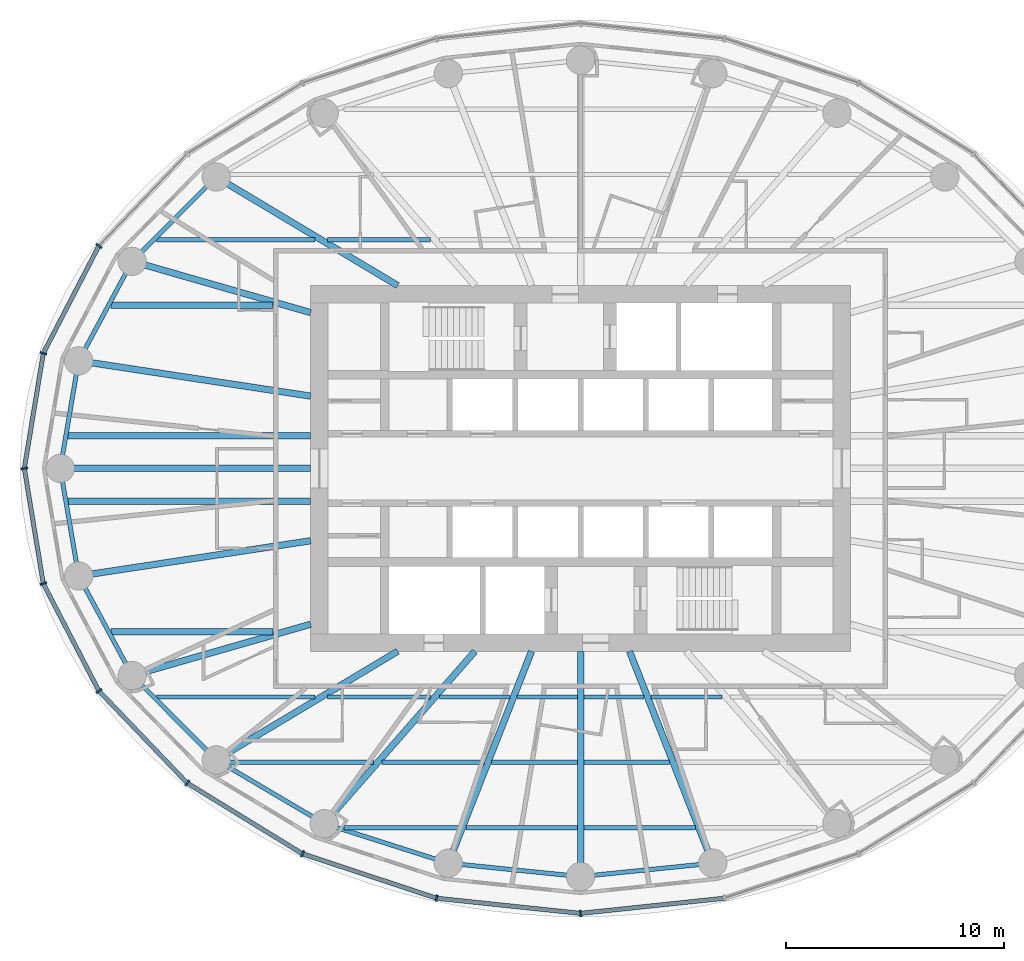
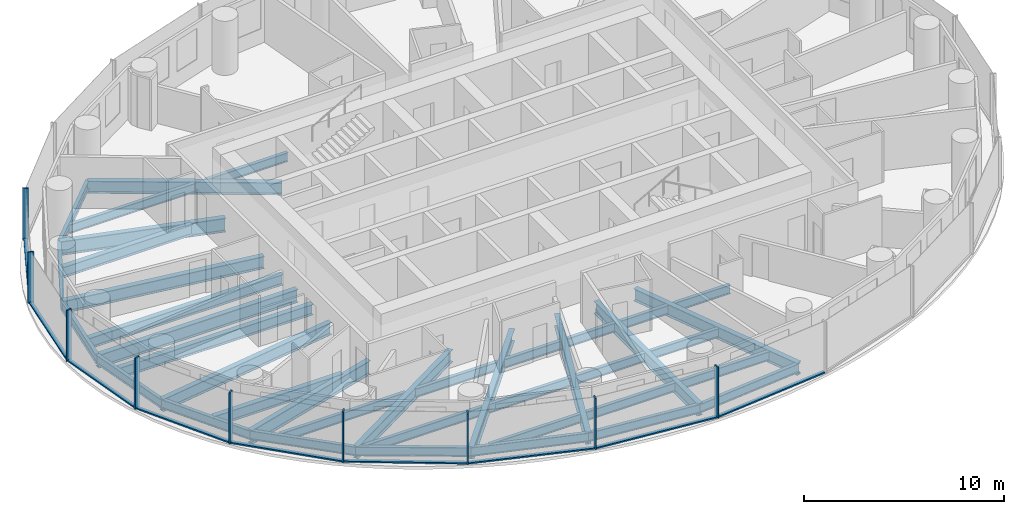
# One storey, part 2 of 13: 40 beams, 18 members, 3 elements without a shape of their own.
"""IFC4 building model written with IfcOpenShell, lengths in metres."""

import ifcopenshell
import ifcopenshell.guid

model = None  # the IFC model being written
_history = None  # IfcOwnerHistory: only IFC2X3 demands one
_inside = {}  # id of a spatial element -> (the spatial element, [elements in it])
_under = {}  # id of a project, library or spatial element -> (it, [spatial elements below it])
_declared = {}  # id of a project -> (the project, [libraries it declares])
_typed = {}  # id of a type object -> (the type object, [elements of that type])
_made_of = {}  # id of a material, layer set ... -> (it, [elements and type objects made of it])


def new_model(schema):
    """Start an empty IFC model of exactly this schema.

    Asked for "IFC4X3", IfcOpenShell would pick the latest addendum, in which some entities
    have other attributes; the version numbers below select the first issue.
    IFC2X3 requires an IfcOwnerHistory on every rooted entity: one is made here for all.
    """
    global model, _history
    if schema == "IFC4X3":
        model = ifcopenshell.file(schema_version=(4, 3, 0, 0))
    else:
        model = ifcopenshell.file(schema=schema)
    _inside.clear()
    _under.clear()
    _declared.clear()
    _typed.clear()
    _made_of.clear()
    _history = None
    if model.schema == "IFC2X3":
        org = make("IfcOrganization", Name="unknown")
        user = make(
            "IfcPersonAndOrganization",
            ThePerson=make("IfcPerson", FamilyName="unknown"),
            TheOrganization=org,
        )
        app = make(
            "IfcApplication",
            ApplicationDeveloper=org,
            Version="unknown",
            ApplicationFullName="unknown",
            ApplicationIdentifier="unknown",
        )
        _history = make(
            "IfcOwnerHistory",
            OwningUser=user,
            OwningApplication=app,
            ChangeAction="ADDED",
            CreationDate=0,
        )
    return model


def make(cls, **values):
    """One entity of the class cls with the attributes given. An attribute that is None is left unset."""
    return model.create_entity(
        cls, **{name: value for name, value in values.items() if value is not None}
    )


def rooted(cls, **values):
    """An entity with a GlobalId (a new one), such as an element, a storey or a relation."""
    return make(cls, GlobalId=ifcopenshell.guid.new(), OwnerHistory=_history, **values)


def si_unit(unit_type, name, prefix=None):
    """IfcSIUnit, for example si_unit("LENGTHUNIT", "METRE", prefix="MILLI")."""
    return make("IfcSIUnit", UnitType=unit_type, Prefix=prefix, Name=name)


def assignment(units):
    """IfcUnitAssignment: the units of a project."""
    return None if units is None else make("IfcUnitAssignment", Units=units)


def point(xyz):
    """IfcCartesianPoint."""
    return None if xyz is None else make("IfcCartesianPoint", Coordinates=xyz)


def direction(xyz):
    """IfcDirection."""
    return None if xyz is None else make("IfcDirection", DirectionRatios=xyz)


def frame(location, z_axis=None, x_axis=None):
    """IfcAxis2Placement3D, a coordinate frame: its origin and axes. An axis left out is left unset."""
    return make(
        "IfcAxis2Placement3D",
        Location=point(location),
        Axis=direction(z_axis),
        RefDirection=direction(x_axis),
    )


def frame_2d(location, x_axis=None):
    """IfcAxis2Placement2D, a coordinate frame in the plane: its origin and x axis."""
    return make(
        "IfcAxis2Placement2D", Location=point(location), RefDirection=direction(x_axis)
    )


def origin():
    """The frame at (0, 0, 0) with its axes left unset."""
    return frame((0.0, 0.0, 0.0))


def origin_2d():
    """The frame at (0, 0) in the plane with its x axis left unset."""
    return frame_2d((0.0, 0.0))


def place(relative_to, where):
    """IfcLocalPlacement: puts the frame where relative to a parent placement (None: the world)."""
    return make(
        "IfcLocalPlacement", PlacementRelTo=relative_to, RelativePlacement=where
    )


def context(
    kind, dimensions, precision=None, world=None, true_north=None, identifier=None
):
    """IfcGeometricRepresentationContext, for example the 3D "Model" context."""
    return make(
        "IfcGeometricRepresentationContext",
        ContextIdentifier=identifier,
        ContextType=kind,
        CoordinateSpaceDimension=dimensions,
        Precision=precision,
        WorldCoordinateSystem=world,
        TrueNorth=true_north,
    )


def subcontext(parent, identifier, kind, view, scale=None):
    """IfcGeometricRepresentationSubContext, for example "Body" below "Model"."""
    return make(
        "IfcGeometricRepresentationSubContext",
        ContextIdentifier=identifier,
        ContextType=kind,
        ParentContext=parent,
        TargetScale=scale,
        TargetView=view,
    )


def project(units=None, contexts=None):
    """IfcProject with its units and contexts."""
    return rooted(
        "IfcProject",
        Name="project",
        RepresentationContexts=contexts,
        UnitsInContext=assignment(units),
    )


def spatial(cls, under=None, at=None, **own):
    """A site, building, storey or space (cls), placed at a placement, below another one or the project."""
    s = rooted(cls, ObjectPlacement=at, **own)
    if under is not None:
        _under.setdefault(under.id(), (under, []))[1].append(s)
    return s


def profile(cls, at=None, kind="AREA", **sizes):
    """A parametric profile (cls). Its sizes go by their IFC names, for example OverallWidth=200.0."""
    return make(cls, ProfileType=kind, Position=at, **sizes)


def rectangle(**sizes):
    """IfcRectangleProfileDef."""
    return profile("IfcRectangleProfileDef", **sizes)


def i_section(**sizes):
    """IfcIShapeProfileDef."""
    return profile("IfcIShapeProfileDef", **sizes)


def extrude(swept, where, along, depth):
    """IfcExtrudedAreaSolid: the profile swept, set in the frame where, extruded along a direction by depth."""
    return make(
        "IfcExtrudedAreaSolid",
        SweptArea=swept,
        Position=where,
        ExtrudedDirection=direction(along),
        Depth=depth,
    )


def shape(context_of_items, identifier, shape_type, items):
    """IfcShapeRepresentation: the items that make up one representation, for example the "Body"."""
    return make(
        "IfcShapeRepresentation",
        ContextOfItems=context_of_items,
        RepresentationIdentifier=identifier,
        RepresentationType=shape_type,
        Items=items,
    )


def material(Name=None, Category=None):
    """IfcMaterial."""
    return make("IfcMaterial", Name=Name, Category=Category)


def material_profile(
    of_material, cross_section, Name=None, Category=None, Priority=None
):
    """IfcMaterialProfile: a cross section and its material."""
    return make(
        "IfcMaterialProfile",
        Name=Name,
        Material=of_material,
        Profile=cross_section,
        Priority=Priority,
        Category=Category,
    )


def profile_set(profiles, Name=None, composite=None):
    """IfcMaterialProfileSet."""
    return make(
        "IfcMaterialProfileSet",
        Name=Name,
        MaterialProfiles=profiles,
        CompositeProfile=composite,
    )


def made_of(thing, what):
    """Note that an element or type object is made of a material, layer set ...; save() writes the relation."""
    if what is not None:
        _made_of.setdefault(what.id(), (what, []))[1].append(thing)
    return thing


def type_object(cls, material=None, **own):
    """A type object (cls), such as IfcWallType, which elements share."""
    return made_of(rooted(cls, **own), material)


def element(
    cls,
    number,
    at=None,
    inside=None,
    cuts=None,
    type_object=None,
    material=None,
    context=None,
    identifier="Body",
    shape_type=None,
    held_by="IfcProductDefinitionShape",
    body=None,
    shapes=None,
    **own,
):
    """One element of the class cls, such as IfcWall. Its Tag is "e" and its number.

    at: its placement. inside: the storey or other place that contains it. cuts: it is an
    opening in that element (IfcRelVoidsElement). A single representation is given by context,
    identifier, shape_type and body (its items); several are given by shapes. held_by: the class
    of the entity that holds the representations. save() writes the other relations.
    """
    e = rooted(cls, Tag="e%d" % number, ObjectPlacement=at, **own)
    if body is not None:
        shapes = [shape(context, identifier, shape_type, body)]
    if shapes is not None:
        e.Representation = make(held_by, Representations=shapes)
    if inside is not None:
        _inside.setdefault(inside.id(), (inside, []))[1].append(e)
    if cuts is not None:
        rooted(
            "IfcRelVoidsElement", RelatingBuildingElement=cuts, RelatedOpeningElement=e
        )
    if type_object is not None:
        _typed.setdefault(type_object.id(), (type_object, []))[1].append(e)
    return made_of(e, material)


def aggregate(whole, parts):
    """IfcRelAggregates: a whole, such as a stair, and the parts it consists of."""
    return rooted("IfcRelAggregates", RelatingObject=whole, RelatedObjects=parts)


def save(model, path):
    """Write the relations noted so far, then the file.

    IfcRelAggregates (storeys below a building ...), IfcRelContainedInSpatialStructure (elements
    in a storey), IfcRelDefinesByType, IfcRelAssociatesMaterial and IfcRelDeclares: one each for
    every whole, place, type object, material and project.
    """
    for whole, parts in _under.values():
        aggregate(whole, parts)
    for where, things in _inside.values():
        rooted(
            "IfcRelContainedInSpatialStructure",
            RelatedElements=things,
            RelatingStructure=where,
        )
    for kind, things in _typed.values():
        rooted("IfcRelDefinesByType", RelatedObjects=things, RelatingType=kind)
    for what, things in _made_of.values():
        rooted("IfcRelAssociatesMaterial", RelatedObjects=things, RelatingMaterial=what)
    for by, libraries in _declared.values():
        rooted("IfcRelDeclares", RelatingContext=by, RelatedDefinitions=libraries)
    model.write(path)


model = new_model("IFC4")

# Units and contexts
model_context = context("Model", 3, precision=1e-05, world=origin(), true_north=direction((0.0, 1.0)))
body_context = subcontext(model_context, "Body", "Model", "MODEL_VIEW")
ifc_project = project(units=[si_unit("LENGTHUNIT", "METRE"), si_unit("AREAUNIT", "SQUARE_METRE"), si_unit("VOLUMEUNIT", "CUBIC_METRE"), si_unit("PLANEANGLEUNIT", "RADIAN"), si_unit("MASSUNIT", "GRAM", prefix="KILO")], contexts=[model_context])

# Site, building, storey
site_placement = place(None, origin())
site = spatial("IfcSite", under=ifc_project, at=site_placement, CompositionType="ELEMENT")
building_placement = place(site_placement, origin())
building = spatial("IfcBuilding", under=site, at=building_placement, Name="Hankou Lantern Tower", CompositionType="ELEMENT")
storey_placement = place(building_placement, frame((0.0, 0.0, 132.0)))
storey = spatial("IfcBuildingStorey", under=building, at=storey_placement, Name="L34", CompositionType="ELEMENT", Elevation=132.0)

# Beams
ifc_material_1 = material(Name="Steel Q355B", Category="steel")
ifc_material_profile_1 = material_profile(ifc_material_1, i_section(OverallWidth=0.199951171875, OverallDepth=0.550048828125, WebThickness=0.010009765625, FlangeThickness=0.01611328125, FilletRadius=0.012939453125, at=origin_2d()), Name="HN550x200x10x16")
ifc_profile_set_1 = profile_set([ifc_material_profile_1], Name="Steel Q355B")
beam_type_1 = type_object("IfcBeamType", Name="EB6 RING BEAM HN550x200x10x16", PredefinedType="SPANDREL", material=ifc_profile_set_1)
beam_1_placement = place(storey_placement, frame((-16.73388671875, 13.38720703125, -0.455078125), z_axis=(-0.705945468625, -0.708266189599, 0.0), x_axis=(0.708266189599, -0.705945468625, 0.0)))
element("IfcBeam", 1, at=beam_1_placement, inside=storey, type_object=beam_type_1, Name="Ring beam R10-R11 L34", PredefinedType="SPANDREL", context=body_context, shape_type="SweptSolid", body=[
    extrude(i_section(OverallWidth=0.199951171875, OverallDepth=0.550048828125, WebThickness=0.010009765625, FlangeThickness=0.01611328125, FilletRadius=0.012939453125, at=origin_2d()), origin(), (0.0, 0.0, 1.0), 5.470458984375),
])
beam_2_placement = place(storey_placement, frame((-20.595703125, 9.5126953125, -0.455078125), z_axis=(-0.473824901673, -0.880619079145, 0.0), x_axis=(0.880619079145, -0.473824901673, 0.0)))
element("IfcBeam", 2, at=beam_2_placement, inside=storey, type_object=beam_type_1, Name="Ring beam R11-R12 L34", PredefinedType="SPANDREL", context=body_context, shape_type="SweptSolid", body=[
    extrude(i_section(OverallWidth=0.199951171875, OverallDepth=0.550048828125, WebThickness=0.010009765625, FlangeThickness=0.01611328125, FilletRadius=0.012939453125, at=origin_2d()), origin(), (0.0, 0.0, 1.0), 5.190185546875),
])
for number, where, z_axis, x_axis, name in (
    (3, (-23.054931640625, 4.942138671875, -0.455078125), (-0.168527258545, -0.985696993567, 0.0), (0.985696993567, -0.168527258545, 0.0), "Ring beam R12-R13 L34"),
    (4, (-23.89990234375, 0.0, -0.455078125), (0.168527258545, -0.985696993567, 0.0), (0.985696993567, 0.168527258545, 0.0), "Ring beam R13-R14 L34"),
):
    element("IfcBeam", number, at=place(storey_placement, frame(where, z_axis=z_axis, x_axis=x_axis)), inside=storey, type_object=beam_type_1, Name=name, PredefinedType="SPANDREL", context=body_context, shape_type="SweptSolid", body=[
        extrude(i_section(OverallWidth=0.199951171875, OverallDepth=0.550048828125, WebThickness=0.010009765625, FlangeThickness=0.01611328125, FilletRadius=0.012939453125, at=origin_2d()), origin(), (0.0, 0.0, 1.0), 5.013916015625),
    ])
beam_3_placement = place(storey_placement, frame((-23.054931640625, -4.942138671875, -0.455078125), z_axis=(0.473824901673, -0.880619079145, 0.0), x_axis=(0.880619079145, 0.473824901673, 0.0)))
element("IfcBeam", 5, at=beam_3_placement, inside=storey, type_object=beam_type_1, Name="Ring beam R14-R15 L34", PredefinedType="SPANDREL", context=body_context, shape_type="SweptSolid", body=[
    extrude(i_section(OverallWidth=0.199951171875, OverallDepth=0.550048828125, WebThickness=0.010009765625, FlangeThickness=0.01611328125, FilletRadius=0.012939453125, at=origin_2d()), origin(), (0.0, 0.0, 1.0), 5.190185546875),
])
beam_4_placement = place(storey_placement, frame((-20.595703125, -9.5126953125, -0.455078125), z_axis=(0.705945468625, -0.708266189599, 0.0), x_axis=(0.708266189599, 0.705945468625, 0.0)))
element("IfcBeam", 6, at=beam_4_placement, inside=storey, type_object=beam_type_1, Name="Ring beam R15-R16 L34", PredefinedType="SPANDREL", context=body_context, shape_type="SweptSolid", body=[
    extrude(i_section(OverallWidth=0.199951171875, OverallDepth=0.550048828125, WebThickness=0.010009765625, FlangeThickness=0.01611328125, FilletRadius=0.012939453125, at=origin_2d()), origin(), (0.0, 0.0, 1.0), 5.470458984375),
])
beam_5_placement = place(storey_placement, frame((-16.73388671875, -13.38720703125, -0.455078125), z_axis=(0.860988974188, -0.508623619513, 0.0), x_axis=(0.508623619513, 0.860988974188, 0.0)))
element("IfcBeam", 7, at=beam_5_placement, inside=storey, type_object=beam_type_1, Name="Ring beam R16-R17 L34", PredefinedType="SPANDREL", context=body_context, shape_type="SweptSolid", body=[
    extrude(i_section(OverallWidth=0.199951171875, OverallDepth=0.550048828125, WebThickness=0.010009765625, FlangeThickness=0.01611328125, FilletRadius=0.012939453125, at=origin_2d()), origin(), (0.0, 0.0, 1.0), 5.759033203125),
])
beam_6_placement = place(storey_placement, frame((-11.775390625, -16.31640625, -0.455078125), z_axis=(0.952731090451, -0.303814860215, 0.0), x_axis=(0.303814860215, 0.952731090451, 0.0)))
element("IfcBeam", 8, at=beam_6_placement, inside=storey, type_object=beam_type_1, Name="Ring beam R17-R18 L34", PredefinedType="SPANDREL", context=body_context, shape_type="SweptSolid", body=[
    extrude(i_section(OverallWidth=0.199951171875, OverallDepth=0.550048828125, WebThickness=0.010009765625, FlangeThickness=0.01611328125, FilletRadius=0.012939453125, at=origin_2d()), origin(), (0.0, 0.0, 1.0), 5.984375),
])
for number, where, z_axis, x_axis, name in (
    (9, (-6.073974609375, -18.134521484375, -0.455078125), (0.994905271594, -0.100814188259, 0.0), (0.100814188259, 0.994905271594, 0.0), "Ring beam R18-R19 L34"),
    (10, (0.0, -18.75, -0.455078125), (0.994905271594, 0.100814188259, 0.0), (-0.100814188259, 0.994905271594, 0.0), "Ring beam R19-R20 L34"),
):
    element("IfcBeam", number, at=place(storey_placement, frame(where, z_axis=z_axis, x_axis=x_axis)), inside=storey, type_object=beam_type_1, Name=name, PredefinedType="SPANDREL", context=body_context, shape_type="SweptSolid", body=[
        extrude(i_section(OverallWidth=0.199951171875, OverallDepth=0.550048828125, WebThickness=0.010009765625, FlangeThickness=0.01611328125, FilletRadius=0.012939453125, at=origin_2d()), origin(), (0.0, 0.0, 1.0), 6.10498046875),
    ])

# Curtain wall, members
ifc_material_2 = material(Name="Glass, dark grey tinted laminated", Category="glass")
curtain_wall_type = type_object("IfcCurtainWallType", Name="CWB OUTER SKIN MID-RISE", PredefinedType="USERDEFINED", material=ifc_material_2)
curtain_wall_1_placement = place(storey_placement, origin())
curtain_wall_1 = element("IfcCurtainWall", 11, at=curtain_wall_1_placement, inside=storey, type_object=curtain_wall_type, Name="CWB L34 OS2", ObjectType="OUTER SKIN MID-RISE", PredefinedType="USERDEFINED")
ifc_material_3 = material(Name="Aluminium, black anodised", Category="aluminium")
ifc_material_profile_2 = material_profile(ifc_material_3, rectangle(XDim=0.080078125, YDim=0.300048828125, at=origin_2d()), Name="MU1 80X300")
ifc_profile_set_2 = profile_set([ifc_material_profile_2], Name="Aluminium, black anodised")
member_type_1 = type_object("IfcMemberType", Name="MU1 OUTER SKIN MULLION 80X300", PredefinedType="MULLION", material=ifc_profile_set_2)
member_1_placement = place(storey_placement, frame((-22.126953125, 10.219970703125, 0.0), z_axis=(0.0, 0.0, 1.0), x_axis=(-0.585205735974, -0.810884854084, 0.0)))
member_1 = element("IfcMember", 12, at=member_1_placement, type_object=member_type_1, Name="CWB mullion 5", PredefinedType="MULLION", context=body_context, shape_type="SweptSolid", body=[
    extrude(rectangle(XDim=0.080078125, YDim=0.300048828125, at=origin_2d()), origin(), (0.0, 0.0, 1.0), 3.1201171875),
])
member_2_placement = place(storey_placement, frame((-24.679443359375, 5.290283203125, 0.0), z_axis=(0.0, 0.0, 1.0), x_axis=(-0.317595577365, -0.94822626479, 0.0)))
member_2 = element("IfcMember", 13, at=member_2_placement, type_object=member_type_1, Name="CWB mullion 6", PredefinedType="MULLION", context=body_context, shape_type="SweptSolid", body=[
    extrude(rectangle(XDim=0.080078125, YDim=0.300048828125, at=origin_2d()), origin(), (0.0, 0.0, 1.0), 3.1201171875),
])

curtain_wall_2_placement = place(storey_placement, origin())
curtain_wall_2 = element("IfcCurtainWall", 14, at=curtain_wall_2_placement, inside=storey, type_object=curtain_wall_type, Name="CWB L34 OS3", ObjectType="OUTER SKIN MID-RISE", PredefinedType="USERDEFINED")
member_3_placement = place(storey_placement, frame((-25.550048828125, 0.0, 0.0), z_axis=(0.0, 0.0, 1.0), x_axis=(0.162381515188, -0.986728049427, 0.0)))
member_3 = element("IfcMember", 15, at=member_3_placement, type_object=member_type_1, Name="CWB mullion 1", PredefinedType="MULLION", context=body_context, shape_type="SweptSolid", body=[
    extrude(rectangle(XDim=0.080078125, YDim=0.300048828125, at=origin_2d()), origin(), (0.0, 0.0, 1.0), 3.1201171875),
])
member_4_placement = place(storey_placement, frame((-24.679443359375, -5.290283203125, 0.0), z_axis=(0.0, 0.0, 1.0), x_axis=(0.317595577365, -0.94822626479, 0.0)))
member_4 = element("IfcMember", 16, at=member_4_placement, type_object=member_type_1, Name="CWB mullion 2", PredefinedType="MULLION", context=body_context, shape_type="SweptSolid", body=[
    extrude(rectangle(XDim=0.080078125, YDim=0.300048828125, at=origin_2d()), origin(), (0.0, 0.0, 1.0), 3.1201171875),
])
member_5_placement = place(storey_placement, frame((-22.126953125, -10.219970703125, 0.0), z_axis=(0.0, 0.0, 1.0), x_axis=(0.585205735974, -0.810884854084, 0.0)))
member_5 = element("IfcMember", 17, at=member_5_placement, type_object=member_type_1, Name="CWB mullion 3", PredefinedType="MULLION", context=body_context, shape_type="SweptSolid", body=[
    extrude(rectangle(XDim=0.080078125, YDim=0.300048828125, at=origin_2d()), origin(), (0.0, 0.0, 1.0), 3.1201171875),
])
member_6_placement = place(storey_placement, frame((-18.066650390625, -14.453369140625, 0.0), z_axis=(0.0, 0.0, 1.0), x_axis=(0.780868809444, -0.624695047553, 0.0)))
member_6 = element("IfcMember", 18, at=member_6_placement, type_object=member_type_1, Name="CWB mullion 4", PredefinedType="MULLION", context=body_context, shape_type="SweptSolid", body=[
    extrude(rectangle(XDim=0.080078125, YDim=0.300048828125, at=origin_2d()), origin(), (0.0, 0.0, 1.0), 3.1201171875),
])
member_7_placement = place(storey_placement, frame((-12.77490234375, -17.70166015625, 0.0), z_axis=(0.0, 0.0, 1.0), x_axis=(0.907841299004, -0.419313934686, 0.0)))
member_7 = element("IfcMember", 19, at=member_7_placement, type_object=member_type_1, Name="CWB mullion 5", PredefinedType="MULLION", context=body_context, shape_type="SweptSolid", body=[
    extrude(rectangle(XDim=0.080078125, YDim=0.300048828125, at=origin_2d()), origin(), (0.0, 0.0, 1.0), 3.1201171875),
])
member_8_placement = place(storey_placement, frame((-6.61279296875, -19.743408203125, 0.0), z_axis=(0.0, 0.0, 1.0), x_axis=(0.977787659625, -0.209597931016, 0.0)))
member_8 = element("IfcMember", 20, at=member_8_placement, type_object=member_type_1, Name="CWB mullion 6", PredefinedType="MULLION", context=body_context, shape_type="SweptSolid", body=[
    extrude(rectangle(XDim=0.080078125, YDim=0.300048828125, at=origin_2d()), origin(), (0.0, 0.0, 1.0), 3.1201171875),
])

# Curtain wall, member
curtain_wall_3_placement = place(storey_placement, origin())
curtain_wall_3 = element("IfcCurtainWall", 21, at=curtain_wall_3_placement, inside=storey, type_object=curtain_wall_type, Name="CWB L34 OS4", ObjectType="OUTER SKIN MID-RISE", PredefinedType="USERDEFINED")
member_9_placement = place(storey_placement, frame((0.0, -20.43994140625, 0.0), z_axis=(0.0, 0.0, 1.0), x_axis=(0.994499359107, 0.104742659579, 0.0)))
member_9 = element("IfcMember", 22, at=member_9_placement, type_object=member_type_1, Name="CWB mullion 1", PredefinedType="MULLION", context=body_context, shape_type="SweptSolid", body=[
    extrude(rectangle(XDim=0.080078125, YDim=0.300048828125, at=origin_2d()), origin(), (0.0, 0.0, 1.0), 3.1201171875),
])

# Beams
ifc_material_4 = material(Name="Steel Q355B", Category="steel")
ifc_material_profile_3 = material_profile(ifc_material_4, i_section(OverallWidth=0.300048828125, OverallDepth=0.75, WebThickness=0.012939453125, FlangeThickness=0.02392578125, FilletRadius=0.01806640625, at=origin_2d()), Name="HN750x300x13x24")
ifc_profile_set_3 = profile_set([ifc_material_profile_3], Name="Steel Q355B")
beam_type_2 = type_object("IfcBeamType", Name="RB10 RADIAL BEAM HN750x300x13x24", PredefinedType="BEAM", material=ifc_profile_set_3)
beam_7_placement = place(storey_placement, frame((-8.39990234375, 8.39990234375, -0.554931640625), z_axis=(-0.858086776551, 0.513504706802, 0.0), x_axis=(-0.513504706802, -0.858086776551, 0.0)))
element("IfcBeam", 23, at=beam_7_placement, inside=storey, type_object=beam_type_2, Name="Radial beam R10 L34", PredefinedType="BEAM", context=body_context, shape_type="SweptSolid", body=[
    extrude(i_section(OverallWidth=0.300048828125, OverallDepth=0.75, WebThickness=0.012939453125, FlangeThickness=0.02392578125, FilletRadius=0.01806640625, at=origin_2d()), origin(), (0.0, 0.0, 1.0), 9.71240234375),
])
for number, where, z_axis, x_axis, name in (
    (24, (-12.39990234375, 3.322509765625, -0.554931640625), (-0.988643506875, 0.150279793429, 0.0), (-0.150279793429, -0.988643506875, 0.0), "Radial beam R12 L34"),
    (25, (-12.39990234375, -3.322509765625, -0.554931640625), (-0.988643506875, -0.150279793429, 0.0), (0.150279793429, -0.988643506875, 0.0), "Radial beam R14 L34"),
):
    element("IfcBeam", number, at=place(storey_placement, frame(where, z_axis=z_axis, x_axis=x_axis)), inside=storey, type_object=beam_type_2, Name=name, PredefinedType="BEAM", context=body_context, shape_type="SweptSolid", body=[
        extrude(i_section(OverallWidth=0.300048828125, OverallDepth=0.75, WebThickness=0.012939453125, FlangeThickness=0.02392578125, FilletRadius=0.01806640625, at=origin_2d()), origin(), (0.0, 0.0, 1.0), 10.77734375),
    ])
beam_8_placement = place(storey_placement, frame((-8.39990234375, -8.39990234375, -0.554931640625), z_axis=(-0.858086776551, -0.513504706802, 0.0), x_axis=(0.513504706802, -0.858086776551, 0.0)))
element("IfcBeam", 26, at=beam_8_placement, inside=storey, type_object=beam_type_2, Name="Radial beam R16 L34", PredefinedType="BEAM", context=body_context, shape_type="SweptSolid", body=[
    extrude(i_section(OverallWidth=0.300048828125, OverallDepth=0.75, WebThickness=0.012939453125, FlangeThickness=0.02392578125, FilletRadius=0.01806640625, at=origin_2d()), origin(), (0.0, 0.0, 1.0), 9.71240234375),
])
beam_9_placement = place(storey_placement, frame((-4.849853515625, -8.39990234375, -0.554931640625), z_axis=(-0.658429014446, -0.752642832249, 0.0), x_axis=(0.752642832249, -0.658429014446, 0.0)))
element("IfcBeam", 27, at=beam_9_placement, inside=storey, type_object=beam_type_2, Name="Radial beam R17 L34", PredefinedType="BEAM", context=body_context, shape_type="SweptSolid", body=[
    extrude(i_section(OverallWidth=0.300048828125, OverallDepth=0.75, WebThickness=0.012939453125, FlangeThickness=0.02392578125, FilletRadius=0.01806640625, at=origin_2d()), origin(), (0.0, 0.0, 1.0), 10.518310546875),
])
beam_10_placement = place(storey_placement, frame((-2.250732421875, -8.39990234375, -0.554931640625), z_axis=(-0.365563535437, -0.930786388791, 0.0), x_axis=(0.930786388791, -0.365563535437, 0.0)))
element("IfcBeam", 28, at=beam_10_placement, inside=storey, type_object=beam_type_2, Name="Radial beam R18 L34", PredefinedType="BEAM", context=body_context, shape_type="SweptSolid", body=[
    extrude(i_section(OverallWidth=0.300048828125, OverallDepth=0.75, WebThickness=0.012939453125, FlangeThickness=0.02392578125, FilletRadius=0.01806640625, at=origin_2d()), origin(), (0.0, 0.0, 1.0), 10.45849609375),
])
beam_11_placement = place(storey_placement, frame((0.0, -8.39990234375, -0.554931640625), z_axis=(0.0, -1.0, 0.0), x_axis=(1.0, 0.0, 0.0)))
element("IfcBeam", 29, at=beam_11_placement, inside=storey, type_object=beam_type_2, Name="Radial beam R19 L34", PredefinedType="BEAM", context=body_context, shape_type="SweptSolid", body=[
    extrude(i_section(OverallWidth=0.300048828125, OverallDepth=0.75, WebThickness=0.012939453125, FlangeThickness=0.02392578125, FilletRadius=0.01806640625, at=origin_2d()), origin(), (0.0, 0.0, 1.0), 10.35009765625),
])
beam_12_placement = place(storey_placement, frame((2.250732421875, -8.39990234375, -0.554931640625), z_axis=(0.365563535437, -0.930786388791, 0.0), x_axis=(0.930786388791, 0.365563535437, 0.0)))
element("IfcBeam", 30, at=beam_12_placement, inside=storey, type_object=beam_type_2, Name="Radial beam R20 L34", PredefinedType="BEAM", context=body_context, shape_type="SweptSolid", body=[
    extrude(i_section(OverallWidth=0.300048828125, OverallDepth=0.75, WebThickness=0.012939453125, FlangeThickness=0.02392578125, FilletRadius=0.01806640625, at=origin_2d()), origin(), (0.0, 0.0, 1.0), 10.45849609375),
])
ifc_material_5 = material(Name="Steel Q355B", Category="steel")
ifc_material_profile_4 = material_profile(ifc_material_5, i_section(OverallWidth=0.300048828125, OverallDepth=0.800048828125, WebThickness=0.013916015625, FlangeThickness=0.02587890625, FilletRadius=0.01806640625, at=origin_2d()), Name="HN800x300x14x26")
ifc_profile_set_4 = profile_set([ifc_material_profile_4], Name="Steel Q355B")
beam_type_3 = type_object("IfcBeamType", Name="RB11 RADIAL BEAM HN800x300x14x26", PredefinedType="BEAM", material=ifc_profile_set_4)
beam_13_placement = place(storey_placement, frame((-12.39990234375, 0.0, -0.580078125), z_axis=(-1.0, 0.0, 0.0), x_axis=(0.0, -1.0, 0.0)))
element("IfcBeam", 31, at=beam_13_placement, inside=storey, type_object=beam_type_3, Name="Radial beam R13 L34", PredefinedType="BEAM", context=body_context, shape_type="SweptSolid", body=[
    extrude(i_section(OverallWidth=0.300048828125, OverallDepth=0.800048828125, WebThickness=0.013916015625, FlangeThickness=0.02587890625, FilletRadius=0.01806640625, at=origin_2d()), origin(), (0.0, 0.0, 1.0), 11.5),
])
ifc_material_6 = material(Name="Steel Q355B", Category="steel")
ifc_material_profile_5 = material_profile(ifc_material_6, i_section(OverallWidth=0.300048828125, OverallDepth=0.85009765625, WebThickness=0.01611328125, FlangeThickness=0.027099609375, FilletRadius=0.01806640625, at=origin_2d()), Name="HN850x300x16x27")
ifc_profile_set_5 = profile_set([ifc_material_profile_5], Name="Steel Q355B")
beam_type_4 = type_object("IfcBeamType", Name="RB12 RADIAL BEAM HN850x300x16x27", PredefinedType="BEAM", material=ifc_profile_set_5)
for number, where, z_axis, x_axis, name in (
    (32, (-12.39990234375, 7.1591796875, -0.60498046875), (-0.961155741911, 0.276006593745, 0.0), (-0.276006593745, -0.961155741911, 0.0), "Radial beam R11 L34"),
    (33, (-12.39990234375, -7.1591796875, -0.60498046875), (-0.961155741911, -0.276006593745, 0.0), (0.276006593745, -0.961155741911, 0.0), "Radial beam R15 L34"),
):
    element("IfcBeam", number, at=place(storey_placement, frame(where, z_axis=z_axis, x_axis=x_axis)), inside=storey, type_object=beam_type_4, Name=name, PredefinedType="BEAM", context=body_context, shape_type="SweptSolid", body=[
        extrude(i_section(OverallWidth=0.300048828125, OverallDepth=0.85009765625, WebThickness=0.01611328125, FlangeThickness=0.027099609375, FilletRadius=0.01806640625, at=origin_2d()), origin(), (0.0, 0.0, 1.0), 8.527099609375),
    ])
ifc_material_7 = material(Name="Steel Q355B", Category="steel")
ifc_material_profile_6 = material_profile(ifc_material_7, i_section(OverallWidth=0.199951171875, OverallDepth=0.550048828125, WebThickness=0.010009765625, FlangeThickness=0.01611328125, FilletRadius=0.012939453125, at=origin_2d()), Name="HN550x200x10x16")
ifc_profile_set_6 = profile_set([ifc_material_profile_6], Name="Steel Q355B")
beam_type_5 = type_object("IfcBeamType", Name="SB6 SECONDARY BEAM HN550x200x10x16", PredefinedType="JOIST", material=ifc_profile_set_6)
beam_14_placement = place(storey_placement, frame((-10.8701171875, -16.5, -0.455078125), z_axis=(1.0, 0.0, 0.0), x_axis=(0.0, 1.0, 0.0)))
element("IfcBeam", 34, at=beam_14_placement, inside=storey, type_object=beam_type_5, Name="Floor joist J001 L34", PredefinedType="JOIST", context=body_context, shape_type="SweptSolid", body=[
    extrude(i_section(OverallWidth=0.199951171875, OverallDepth=0.550048828125, WebThickness=0.010009765625, FlangeThickness=0.01611328125, FilletRadius=0.012939453125, at=origin_2d()), origin(), (0.0, 0.0, 1.0), 5.27685546875),
])
for number, where, z_axis, x_axis, name in (
    (35, (-5.270751953125, -16.5, -0.455078125), (1.0, 0.0, 0.0), (0.0, 1.0, 0.0), "Floor joist J002 L34"),
    (36, (0.14990234375, -16.5, -0.455078125), (1.0, 0.0, 0.0), (0.0, 1.0, 0.0), "Floor joist J003 L34"),
):
    element("IfcBeam", number, at=place(storey_placement, frame(where, z_axis=z_axis, x_axis=x_axis)), inside=storey, type_object=beam_type_5, Name=name, PredefinedType="JOIST", context=body_context, shape_type="SweptSolid", body=[
        extrude(i_section(OverallWidth=0.199951171875, OverallDepth=0.550048828125, WebThickness=0.010009765625, FlangeThickness=0.01611328125, FilletRadius=0.012939453125, at=origin_2d()), origin(), (0.0, 0.0, 1.0), 5.120849609375),
    ])
beam_15_placement = place(storey_placement, frame((-16.34619140625, -13.5, -0.455078125), z_axis=(1.0, 0.0, 0.0), x_axis=(0.0, 1.0, 0.0)))
element("IfcBeam", 37, at=beam_15_placement, inside=storey, type_object=beam_type_5, Name="Floor joist J005 L34", PredefinedType="JOIST", context=body_context, shape_type="SweptSolid", body=[
    extrude(i_section(OverallWidth=0.199951171875, OverallDepth=0.550048828125, WebThickness=0.010009765625, FlangeThickness=0.01611328125, FilletRadius=0.012939453125, at=origin_2d()), origin(), (0.0, 0.0, 1.0), 6.83544921875),
])
beam_16_placement = place(storey_placement, frame((-9.112060546875, -13.5, -0.455078125), z_axis=(1.0, 0.0, 0.0), x_axis=(0.0, 1.0, 0.0)))
element("IfcBeam", 38, at=beam_16_placement, inside=storey, type_object=beam_type_5, Name="Floor joist J006 L34", PredefinedType="JOIST", context=body_context, shape_type="SweptSolid", body=[
    extrude(i_section(OverallWidth=0.199951171875, OverallDepth=0.550048828125, WebThickness=0.010009765625, FlangeThickness=0.01611328125, FilletRadius=0.012939453125, at=origin_2d()), origin(), (0.0, 0.0, 1.0), 4.697021484375),
])
for number, where, z_axis, x_axis, name in (
    (39, (-4.092529296875, -13.5, -0.455078125), (1.0, 0.0, 0.0), (0.0, 1.0, 0.0), "Floor joist J007 L34"),
    (40, (0.14990234375, -13.5, -0.455078125), (1.0, 0.0, 0.0), (0.0, 1.0, 0.0), "Floor joist J008 L34"),
):
    element("IfcBeam", number, at=place(storey_placement, frame(where, z_axis=z_axis, x_axis=x_axis)), inside=storey, type_object=beam_type_5, Name=name, PredefinedType="JOIST", context=body_context, shape_type="SweptSolid", body=[
        extrude(i_section(OverallWidth=0.199951171875, OverallDepth=0.550048828125, WebThickness=0.010009765625, FlangeThickness=0.01611328125, FilletRadius=0.012939453125, at=origin_2d()), origin(), (0.0, 0.0, 1.0), 3.942626953125),
    ])
beam_17_placement = place(storey_placement, frame((-19.470458984375, -10.5, -0.455078125), z_axis=(1.0, 0.0, 0.0), x_axis=(0.0, 1.0, 0.0)))
element("IfcBeam", 41, at=beam_17_placement, inside=storey, type_object=beam_type_5, Name="Floor joist J011 L34", PredefinedType="JOIST", context=body_context, shape_type="SweptSolid", body=[
    extrude(i_section(OverallWidth=0.199951171875, OverallDepth=0.550048828125, WebThickness=0.010009765625, FlangeThickness=0.01611328125, FilletRadius=0.012939453125, at=origin_2d()), origin(), (0.0, 0.0, 1.0), 7.26904296875),
])
beam_18_placement = place(storey_placement, frame((-11.6171875, -10.5, -0.455078125), z_axis=(1.0, 0.0, 0.0), x_axis=(0.0, 1.0, 0.0)))
element("IfcBeam", 42, at=beam_18_placement, inside=storey, type_object=beam_type_5, Name="Floor joist J012 L34", PredefinedType="JOIST", context=body_context, shape_type="SweptSolid", body=[
    extrude(i_section(OverallWidth=0.199951171875, OverallDepth=0.550048828125, WebThickness=0.010009765625, FlangeThickness=0.01611328125, FilletRadius=0.012939453125, at=origin_2d()), origin(), (0.0, 0.0, 1.0), 4.73095703125),
])
beam_19_placement = place(storey_placement, frame((-6.487548828125, -10.5, -0.455078125), z_axis=(1.0, 0.0, 0.0), x_axis=(0.0, 1.0, 0.0)))
element("IfcBeam", 43, at=beam_19_placement, inside=storey, type_object=beam_type_5, Name="Floor joist J013 L34", PredefinedType="JOIST", context=body_context, shape_type="SweptSolid", body=[
    extrude(i_section(OverallWidth=0.199951171875, OverallDepth=0.550048828125, WebThickness=0.010009765625, FlangeThickness=0.01611328125, FilletRadius=0.012939453125, at=origin_2d()), origin(), (0.0, 0.0, 1.0), 3.2509765625),
])
for number, where, z_axis, x_axis, name in (
    (44, (-2.914306640625, -10.5, -0.455078125), (1.0, 0.0, 0.0), (0.0, 1.0, 0.0), "Floor joist J014 L34"),
    (45, (0.14990234375, -10.5, -0.455078125), (1.0, 0.0, 0.0), (0.0, 1.0, 0.0), "Floor joist J015 L34"),
):
    element("IfcBeam", number, at=place(storey_placement, frame(where, z_axis=z_axis, x_axis=x_axis)), inside=storey, type_object=beam_type_5, Name=name, PredefinedType="JOIST", context=body_context, shape_type="SweptSolid", body=[
        extrude(i_section(OverallWidth=0.199951171875, OverallDepth=0.550048828125, WebThickness=0.010009765625, FlangeThickness=0.01611328125, FilletRadius=0.012939453125, at=origin_2d()), origin(), (0.0, 0.0, 1.0), 2.764404296875),
    ])
beam_20_placement = place(storey_placement, frame((3.236572265625, -10.5, -0.455078125), z_axis=(1.0, 0.0, 0.0), x_axis=(0.0, 1.0, 0.0)))
element("IfcBeam", 46, at=beam_20_placement, inside=storey, type_object=beam_type_5, Name="Floor joist J016 L34", PredefinedType="JOIST", context=body_context, shape_type="SweptSolid", body=[
    extrude(i_section(OverallWidth=0.199951171875, OverallDepth=0.550048828125, WebThickness=0.010009765625, FlangeThickness=0.01611328125, FilletRadius=0.012939453125, at=origin_2d()), origin(), (0.0, 0.0, 1.0), 3.2509765625),
])
beam_21_placement = place(storey_placement, frame((-19.470458984375, 10.5, -0.455078125), z_axis=(1.0, 0.0, 0.0), x_axis=(0.0, 1.0, 0.0)))
element("IfcBeam", 47, at=beam_21_placement, inside=storey, type_object=beam_type_5, Name="Floor joist J035 L34", PredefinedType="JOIST", context=body_context, shape_type="SweptSolid", body=[
    extrude(i_section(OverallWidth=0.199951171875, OverallDepth=0.550048828125, WebThickness=0.010009765625, FlangeThickness=0.01611328125, FilletRadius=0.012939453125, at=origin_2d()), origin(), (0.0, 0.0, 1.0), 7.26904296875),
])
beam_22_placement = place(storey_placement, frame((-11.6171875, 10.5, -0.455078125), z_axis=(1.0, 0.0, 0.0), x_axis=(0.0, 1.0, 0.0)))
element("IfcBeam", 48, at=beam_22_placement, inside=storey, type_object=beam_type_5, Name="Floor joist J036 L34", PredefinedType="JOIST", context=body_context, shape_type="SweptSolid", body=[
    extrude(i_section(OverallWidth=0.199951171875, OverallDepth=0.550048828125, WebThickness=0.010009765625, FlangeThickness=0.01611328125, FilletRadius=0.012939453125, at=origin_2d()), origin(), (0.0, 0.0, 1.0), 4.73095703125),
])
ifc_material_8 = material(Name="Steel Q355B", Category="steel")
ifc_material_profile_7 = material_profile(ifc_material_8, i_section(OverallWidth=0.300048828125, OverallDepth=0.64990234375, WebThickness=0.010986328125, FlangeThickness=0.01708984375, FilletRadius=0.01806640625, at=origin_2d()), Name="HN650x300x11x17")
ifc_profile_set_7 = profile_set([ifc_material_profile_7], Name="Steel Q355B")
beam_type_6 = type_object("IfcBeamType", Name="SB8 SECONDARY BEAM HN650x300x11x17", PredefinedType="JOIST", material=ifc_profile_set_7)
beam_23_placement = place(storey_placement, frame((-21.56494140625, -7.5, -0.5048828125), z_axis=(1.0, 0.0, 0.0), x_axis=(0.0, 1.0, 0.0)))
element("IfcBeam", 49, at=beam_23_placement, inside=storey, type_object=beam_type_6, Name="Floor joist J019 L34", PredefinedType="JOIST", context=body_context, shape_type="SweptSolid", body=[
    extrude(i_section(OverallWidth=0.300048828125, OverallDepth=0.64990234375, WebThickness=0.010986328125, FlangeThickness=0.01708984375, FilletRadius=0.01806640625, at=origin_2d()), origin(), (0.0, 0.0, 1.0), 7.4345703125),
])
for number, where, z_axis, x_axis, name in (
    (50, (-23.5419921875, -1.5, -0.5048828125), (1.0, 0.0, 0.0), (0.0, 1.0, 0.0), "Floor joist J025 L34"),
    (51, (-23.5419921875, 1.5, -0.5048828125), (1.0, 0.0, 0.0), (0.0, 1.0, 0.0), "Floor joist J027 L34"),
):
    element("IfcBeam", number, at=place(storey_placement, frame(where, z_axis=z_axis, x_axis=x_axis)), inside=storey, type_object=beam_type_6, Name=name, PredefinedType="JOIST", context=body_context, shape_type="SweptSolid", body=[
        extrude(i_section(OverallWidth=0.300048828125, OverallDepth=0.64990234375, WebThickness=0.010986328125, FlangeThickness=0.01708984375, FilletRadius=0.01806640625, at=origin_2d()), origin(), (0.0, 0.0, 1.0), 11.14208984375),
    ])
beam_24_placement = place(storey_placement, frame((-21.56494140625, 7.5, -0.5048828125), z_axis=(1.0, 0.0, 0.0), x_axis=(0.0, 1.0, 0.0)))
element("IfcBeam", 52, at=beam_24_placement, inside=storey, type_object=beam_type_6, Name="Floor joist J033 L34", PredefinedType="JOIST", context=body_context, shape_type="SweptSolid", body=[
    extrude(i_section(OverallWidth=0.300048828125, OverallDepth=0.64990234375, WebThickness=0.010986328125, FlangeThickness=0.01708984375, FilletRadius=0.01806640625, at=origin_2d()), origin(), (0.0, 0.0, 1.0), 7.4345703125),
])

# Member
ifc_material_9 = material(Name="Aluminium, black anodised", Category="aluminium")
ifc_material_profile_8 = material_profile(ifc_material_9, rectangle(XDim=0.199951171875, YDim=0.080078125, at=origin_2d()), Name="TR1 200X80")
ifc_profile_set_8 = profile_set([ifc_material_profile_8], Name="Aluminium, black anodised")
member_type_2 = type_object("IfcMemberType", Name="TR1 OUTER SKIN TRANSOM 200X80", PredefinedType="USERDEFINED", material=ifc_profile_set_8)
member_10_placement = place(storey_placement, frame((-22.145263671875, 10.1845703125, 0.0400390625), z_axis=(-0.459805240543, -0.888019786249, 0.0), x_axis=(0.888019786249, -0.459805240543, 0.0)))
member_10 = element("IfcMember", 53, at=member_10_placement, type_object=member_type_2, Name="CWB transom 5", ObjectType="TRANSOM", PredefinedType="USERDEFINED", context=body_context, shape_type="SweptSolid", body=[
    extrude(rectangle(XDim=0.199951171875, YDim=0.080078125, at=origin_2d()), origin(), (0.0, 0.0, 1.0), 5.4716796875),
])

member_11_placement = place(storey_placement, frame((-24.685791015625, 5.250732421875, 0.0400390625), z_axis=(-0.162397124076, -0.986725480614, 0.0), x_axis=(0.986725480614, -0.162397124076, 0.0)))
member_11 = element("IfcMember", 54, at=member_11_placement, type_object=member_type_2, Name="CWB transom 6", ObjectType="TRANSOM", PredefinedType="USERDEFINED", context=body_context, shape_type="SweptSolid", body=[
    extrude(rectangle(XDim=0.199951171875, YDim=0.080078125, at=origin_2d()), origin(), (0.0, 0.0, 1.0), 5.28125),
])

aggregate(curtain_wall_1, [member_1, member_2, member_10, member_11])

member_12_placement = place(storey_placement, frame((-25.54345703125, -0.03955078125, 0.0400390625), z_axis=(0.162397124076, -0.986725480614, 0.0), x_axis=(0.986725480614, 0.162397124076, 0.0)))
member_12 = element("IfcMember", 55, at=member_12_placement, type_object=member_type_2, Name="CWB transom 1", ObjectType="TRANSOM", PredefinedType="USERDEFINED", context=body_context, shape_type="SweptSolid", body=[
    extrude(rectangle(XDim=0.199951171875, YDim=0.080078125, at=origin_2d()), origin(), (0.0, 0.0, 1.0), 5.28125),
])

member_13_placement = place(storey_placement, frame((-24.6611328125, -5.32568359375, 0.0400390625), z_axis=(0.459805240543, -0.888019786249, 0.0), x_axis=(0.888019786249, 0.459805240543, 0.0)))
member_13 = element("IfcMember", 56, at=member_13_placement, type_object=member_type_2, Name="CWB transom 2", ObjectType="TRANSOM", PredefinedType="USERDEFINED", context=body_context, shape_type="SweptSolid", body=[
    extrude(rectangle(XDim=0.199951171875, YDim=0.080078125, at=origin_2d()), origin(), (0.0, 0.0, 1.0), 5.4716796875),
])

member_14_placement = place(storey_placement, frame((-22.099365234375, -10.248779296875, 0.0400390625), z_axis=(0.692226977748, -0.721679853729, 0.0), x_axis=(0.721679853729, 0.692226977748, 0.0)))
member_14 = element("IfcMember", 57, at=member_14_placement, type_object=member_type_2, Name="CWB transom 3", ObjectType="TRANSOM", PredefinedType="USERDEFINED", context=body_context, shape_type="SweptSolid", body=[
    extrude(rectangle(XDim=0.199951171875, YDim=0.080078125, at=origin_2d()), origin(), (0.0, 0.0, 1.0), 5.785888671875),
])

member_15_placement = place(storey_placement, frame((-18.032470703125, -14.47412109375, 0.0400390625), z_axis=(0.852229492169, -0.523168130411, 0.0), x_axis=(0.523168130411, 0.852229492169, 0.0)))
member_15 = element("IfcMember", 58, at=member_15_placement, type_object=member_type_2, Name="CWB transom 4", ObjectType="TRANSOM", PredefinedType="USERDEFINED", context=body_context, shape_type="SweptSolid", body=[
    extrude(rectangle(XDim=0.199951171875, YDim=0.080078125, at=origin_2d()), origin(), (0.0, 0.0, 1.0), 6.129150390625),
])

member_16_placement = place(storey_placement, frame((-12.737060546875, -17.714111328125, 0.0400390625), z_axis=(0.949237765745, -0.314559476225, 0.0), x_axis=(0.314559476225, 0.949237765745, 0.0)))
member_16 = element("IfcMember", 59, at=member_16_placement, type_object=member_type_2, Name="CWB transom 5", ObjectType="TRANSOM", PredefinedType="USERDEFINED", context=body_context, shape_type="SweptSolid", body=[
    extrude(rectangle(XDim=0.199951171875, YDim=0.080078125, at=origin_2d()), origin(), (0.0, 0.0, 1.0), 6.41162109375),
])

member_17_placement = place(storey_placement, frame((-6.572998046875, -19.747802734375, 0.0400390625), z_axis=(0.994500972001, -0.10472734451, 0.0), x_axis=(0.10472734451, 0.994500972001, 0.0)))
member_17 = element("IfcMember", 60, at=member_17_placement, type_object=member_type_2, Name="CWB transom 6", ObjectType="TRANSOM", PredefinedType="USERDEFINED", context=body_context, shape_type="SweptSolid", body=[
    extrude(rectangle(XDim=0.199951171875, YDim=0.080078125, at=origin_2d()), origin(), (0.0, 0.0, 1.0), 6.5693359375),
])

aggregate(curtain_wall_2, [member_3, member_4, member_5, member_6, member_7, member_8, member_12, member_13, member_14, member_15, member_16, member_17])

member_18_placement = place(storey_placement, frame((0.039794921875, -20.435791015625, 0.0400390625), z_axis=(0.994500972001, 0.10472734451, 0.0), x_axis=(-0.10472734451, 0.994500972001, 0.0)))
member_18 = element("IfcMember", 61, at=member_18_placement, type_object=member_type_2, Name="CWB transom 1", ObjectType="TRANSOM", PredefinedType="USERDEFINED", context=body_context, shape_type="SweptSolid", body=[
    extrude(rectangle(XDim=0.199951171875, YDim=0.080078125, at=origin_2d()), origin(), (0.0, 0.0, 1.0), 6.5693359375),
])

aggregate(curtain_wall_3, [member_9, member_18])

save(model, "model.ifc")
